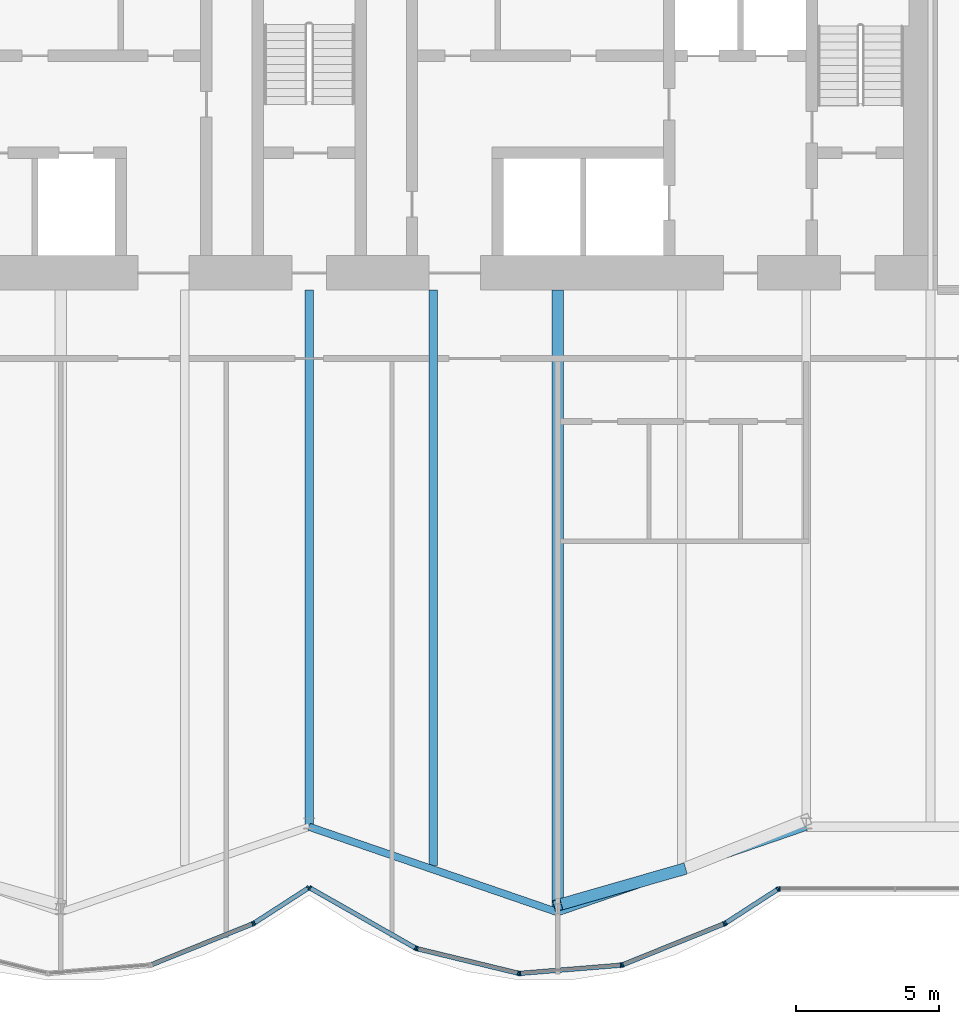
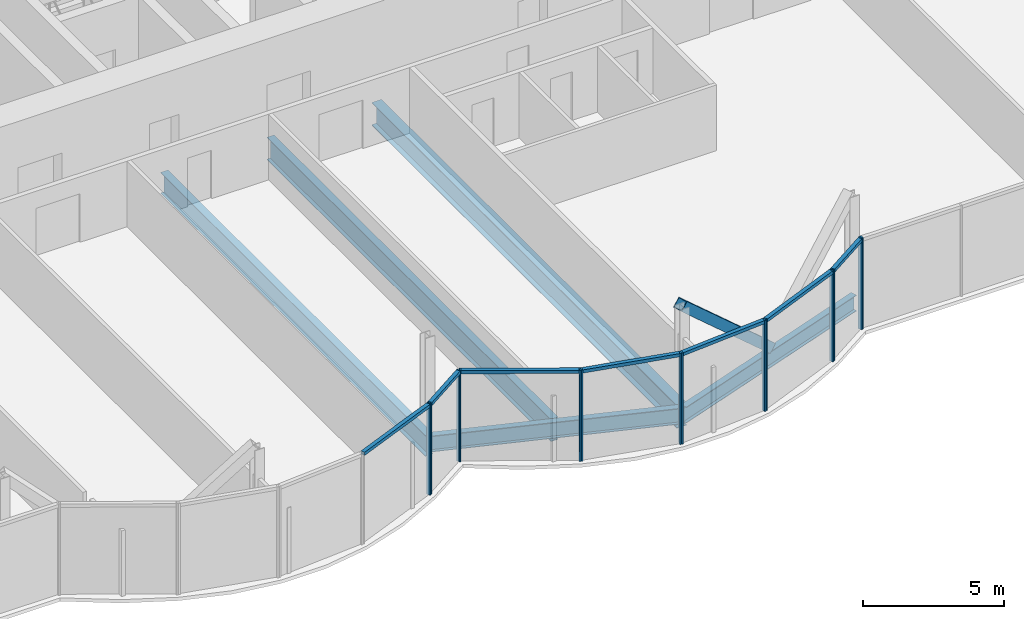
# One storey, part 8 of 21: 22 members, 5 beams, 3 elements without a shape of their own.
"""IFC4 building model written with IfcOpenShell, lengths in metres."""

from ifc_helpers import new_model, si_unit, direction, frame, origin, origin_2d, place, context, subcontext, project, spatial, rectangle, hollow_rectangle, i_section, extrude, material, material_profile, profile_set, type_object, element, aggregate, save


model = new_model("IFC4")

# Units and contexts
model_context = context("Model", 3, precision=1e-05, world=origin(), true_north=direction((0.0, 1.0)))
body_context = subcontext(model_context, "Body", "Model", "MODEL_VIEW")
ifc_project = project(units=[si_unit("LENGTHUNIT", "METRE"), si_unit("AREAUNIT", "SQUARE_METRE"), si_unit("VOLUMEUNIT", "CUBIC_METRE"), si_unit("PLANEANGLEUNIT", "RADIAN"), si_unit("MASSUNIT", "GRAM", prefix="KILO")], contexts=[model_context])

# Site, building, storey
site_placement = place(None, origin())
site = spatial("IfcSite", under=ifc_project, at=site_placement, CompositionType="ELEMENT")
building_placement = place(site_placement, origin())
building = spatial("IfcBuilding", under=site, at=building_placement, Name="Bicima Exchange Tower", CompositionType="ELEMENT")
storey_placement = place(building_placement, frame((0.0, 0.0, 173.199951171875)))
storey = spatial("IfcBuildingStorey", under=building, at=storey_placement, Name="L38", CompositionType="ELEMENT", Elevation=173.199951171875)

# Beams
ifc_material_1 = material(Name="Steel ASTM A992 Gr 50", Category="steel")
ifc_material_profile_1 = material_profile(ifc_material_1, i_section(OverallWidth=0.3046875, OverallDepth=0.904296875, WebThickness=0.01513671875, FlangeThickness=0.02001953125, at=origin_2d()))
ifc_profile_set_1 = profile_set([ifc_material_profile_1], Name="Steel ASTM A992 Gr 50")
beam_type_1 = type_object("IfcBeamType", Name="Floor beam W36x135", PredefinedType="JOIST", material=ifc_profile_set_1)
beam_1_placement = place(storey_placement, frame((0.0, -13.0, -0.60205078125), z_axis=(0.0, -1.0, 0.0), x_axis=(1.0, 0.0, 0.0)))
element("IfcBeam", 1, at=beam_1_placement, inside=storey, type_object=beam_type_1, Name="Floor beam", PredefinedType="JOIST", context=body_context, shape_type="SweptSolid", body=[
    extrude(i_section(OverallWidth=0.3046875, OverallDepth=0.904296875, WebThickness=0.01513671875, FlangeThickness=0.02001953125, at=origin_2d()), origin(), (0.0, 0.0, 1.0), 18.7919921875),
])
ifc_material_profile_2 = material_profile(ifc_material_1, i_section(OverallWidth=0.2998046875, OverallDepth=0.97021484375, WebThickness=0.01611328125, FlangeThickness=0.02099609375, at=origin_2d()))
ifc_profile_set_2 = profile_set([ifc_material_profile_2], Name="Steel ASTM A992 Gr 50")
beam_type_2 = type_object("IfcBeamType", Name="Floor beam W40x149", PredefinedType="JOIST", material=ifc_profile_set_2)
beam_2_placement = place(storey_placement, frame((4.35009765625, -13.0, -0.635009765625), z_axis=(0.0, -1.0, 0.0), x_axis=(1.0, 0.0, 0.0)))
element("IfcBeam", 2, at=beam_2_placement, inside=storey, type_object=beam_type_2, Name="Floor beam", PredefinedType="JOIST", context=body_context, shape_type="SweptSolid", body=[
    extrude(i_section(OverallWidth=0.2998046875, OverallDepth=0.97021484375, WebThickness=0.01611328125, FlangeThickness=0.02099609375, at=origin_2d()), origin(), (0.0, 0.0, 1.0), 20.15185546875),
])
ifc_material_profile_3 = material_profile(ifc_material_1, i_section(OverallWidth=0.4013671875, OverallDepth=0.990478515625, WebThickness=0.0166015625, FlangeThickness=0.031005859375, at=origin_2d()))
ifc_profile_set_3 = profile_set([ifc_material_profile_3], Name="Steel ASTM A992 Gr 50")
beam_type_3 = type_object("IfcBeamType", Name="Floor beam W40x215", PredefinedType="JOIST", material=ifc_profile_set_3)
beam_3_placement = place(storey_placement, frame((8.699951171875, -13.0, -0.645263671875), z_axis=(0.0, -1.0, 0.0), x_axis=(1.0, 0.0, 0.0)))
element("IfcBeam", 3, at=beam_3_placement, inside=storey, type_object=beam_type_3, Name="Floor beam", PredefinedType="JOIST", context=body_context, shape_type="SweptSolid", body=[
    extrude(i_section(OverallWidth=0.4013671875, OverallDepth=0.990478515625, WebThickness=0.0166015625, FlangeThickness=0.031005859375, at=origin_2d()), origin(), (0.0, 0.0, 1.0), 21.6474609375),
])
ifc_material_profile_4 = material_profile(ifc_material_1, i_section(OverallWidth=0.256591796875, OverallDepth=0.693359375, WebThickness=0.014404296875, FlangeThickness=0.023681640625, at=origin_2d()))
ifc_profile_set_4 = profile_set([ifc_material_profile_4], Name="Steel ASTM A992 Gr 50")
beam_type_4 = type_object("IfcBeamType", Name="Front girder W27x114", PredefinedType="BEAM", material=ifc_profile_set_4)
for number, where, z_axis, x_axis, name in (
    (4, (0.0, -31.7919921875, -0.49658203125), (0.945666456746, -0.325138359143, 0.0), (0.325138359143, 0.945666456746, 0.0), "Front girder"),
    (5, (8.699951171875, -34.783203125, -0.49658203125), (0.945666456746, 0.325138359143, 0.0), (-0.325138359143, 0.945666456746, 0.0), "Front girder"),
):
    element("IfcBeam", number, at=place(storey_placement, frame(where, z_axis=z_axis, x_axis=x_axis)), inside=storey, type_object=beam_type_4, Name=name, PredefinedType="BEAM", context=body_context, shape_type="SweptSolid", body=[
        extrude(i_section(OverallWidth=0.256591796875, OverallDepth=0.693359375, WebThickness=0.014404296875, FlangeThickness=0.023681640625, at=origin_2d()), origin(), (0.0, 0.0, 1.0), 9.19970703125),
    ])

# Curtain wall, members
ifc_material_2 = material(Name="Anodised bronze aluminium", Category="aluminium")
curtain_wall_type = type_object("IfcCurtainWallType", Name="Front glass wall", PredefinedType="NOTDEFINED", material=ifc_material_2)
curtain_wall_1_placement = place(storey_placement, origin())
curtain_wall_1 = element("IfcCurtainWall", 6, at=curtain_wall_1_placement, inside=storey, type_object=curtain_wall_type, Name="Front glass wall L38 run 6", PredefinedType="NOTDEFINED")
ifc_material_profile_5 = material_profile(ifc_material_2, rectangle(XDim=0.159912109375, YDim=0.06005859375, at=origin_2d()))
ifc_profile_set_5 = profile_set([ifc_material_profile_5], Name="Anodised bronze aluminium")
member_type_1 = type_object("IfcMemberType", Name="Front glass wall mullion 60 x 160", PredefinedType="MULLION", material=ifc_profile_set_5)
member_1_placement = place(storey_placement, frame((-1.97412109375, -35.1875, 0.0), z_axis=(0.0, 0.0, 1.0), x_axis=(-0.374705304, 0.92714396679, 0.0)))
member_1 = element("IfcMember", 7, at=member_1_placement, type_object=member_type_1, Name="Front glass wall mullion 2", PredefinedType="MULLION", context=body_context, shape_type="SweptSolid", body=[
    extrude(rectangle(XDim=0.159912109375, YDim=0.06005859375, at=origin_2d()), origin(), (0.0, 0.0, 1.0), 3.949951171875),
])
member_2_placement = place(storey_placement, frame((-1.921142578125, -35.16015625, 0.0), z_axis=(0.0, 0.0, 1.0), x_axis=(-0.542897457326, 0.839798994301, 0.0)))
member_2 = element("IfcMember", 8, at=member_2_placement, type_object=member_type_1, Name="Front glass wall mullion 1", PredefinedType="MULLION", context=body_context, shape_type="SweptSolid", body=[
    extrude(rectangle(XDim=0.159912109375, YDim=0.06005859375, at=origin_2d()), origin(), (0.0, 0.0, 1.0), 3.949951171875),
])
member_3_placement = place(storey_placement, frame((-0.025146484375, -33.934326171875, 0.0), z_axis=(0.0, 0.0, 1.0), x_axis=(-0.542897457326, 0.839798994301, 0.0)))
member_3 = element("IfcMember", 9, at=member_3_placement, type_object=member_type_1, Name="Front glass wall mullion 2", PredefinedType="MULLION", context=body_context, shape_type="SweptSolid", body=[
    extrude(rectangle(XDim=0.159912109375, YDim=0.06005859375, at=origin_2d()), origin(), (0.0, 0.0, 1.0), 3.949951171875),
])

curtain_wall_2_placement = place(storey_placement, origin())
curtain_wall_2 = element("IfcCurtainWall", 10, at=curtain_wall_2_placement, inside=storey, type_object=curtain_wall_type, Name="Front glass wall L38 run 11", PredefinedType="NOTDEFINED")
member_4_placement = place(storey_placement, frame((0.026123046875, -33.93310546875, 0.0), z_axis=(0.0, 0.0, 1.0), x_axis=(0.494330311331, 0.869274147378, 0.0)))
member_4 = element("IfcMember", 11, at=member_4_placement, type_object=member_type_1, Name="Front glass wall mullion 1", PredefinedType="MULLION", context=body_context, shape_type="SweptSolid", body=[
    extrude(rectangle(XDim=0.159912109375, YDim=0.06005859375, at=origin_2d()), origin(), (0.0, 0.0, 1.0), 3.949951171875),
])
member_5_placement = place(storey_placement, frame((3.7265625, -36.037353515625, 0.0), z_axis=(0.0, 0.0, 1.0), x_axis=(0.494330311331, 0.869274147378, 0.0)))
member_5 = element("IfcMember", 12, at=member_5_placement, type_object=member_type_1, Name="Front glass wall mullion 2", PredefinedType="MULLION", context=body_context, shape_type="SweptSolid", body=[
    extrude(rectangle(XDim=0.159912109375, YDim=0.06005859375, at=origin_2d()), origin(), (0.0, 0.0, 1.0), 3.949951171875),
])
member_6_placement = place(storey_placement, frame((3.781982421875, -36.059326171875, 0.0), z_axis=(0.0, 0.0, 1.0), x_axis=(0.235681529503, 0.971830343553, 0.0)))
member_6 = element("IfcMember", 13, at=member_6_placement, type_object=member_type_1, Name="Front glass wall mullion 1", PredefinedType="MULLION", context=body_context, shape_type="SweptSolid", body=[
    extrude(rectangle(XDim=0.159912109375, YDim=0.06005859375, at=origin_2d()), origin(), (0.0, 0.0, 1.0), 3.949951171875),
])
member_7_placement = place(storey_placement, frame((7.322509765625, -36.91796875, 0.0), z_axis=(0.0, 0.0, 1.0), x_axis=(0.235681529503, 0.971830343553, 0.0)))
member_7 = element("IfcMember", 14, at=member_7_placement, type_object=member_type_1, Name="Front glass wall mullion 2", PredefinedType="MULLION", context=body_context, shape_type="SweptSolid", body=[
    extrude(rectangle(XDim=0.159912109375, YDim=0.06005859375, at=origin_2d()), origin(), (0.0, 0.0, 1.0), 3.949951171875),
])
member_8_placement = place(storey_placement, frame((7.381591796875, -36.922607421875, 0.0), z_axis=(0.0, 0.0, 1.0), x_axis=(-0.080588612633, 0.99674744821, 0.0)))
member_8 = element("IfcMember", 15, at=member_8_placement, type_object=member_type_1, Name="Front glass wall mullion 1", PredefinedType="MULLION", context=body_context, shape_type="SweptSolid", body=[
    extrude(rectangle(XDim=0.159912109375, YDim=0.06005859375, at=origin_2d()), origin(), (0.0, 0.0, 1.0), 3.949951171875),
])
member_9_placement = place(storey_placement, frame((10.916015625, -36.63671875, 0.0), z_axis=(0.0, 0.0, 1.0), x_axis=(-0.080588612633, 0.99674744821, 0.0)))
member_9 = element("IfcMember", 16, at=member_9_placement, type_object=member_type_1, Name="Front glass wall mullion 2", PredefinedType="MULLION", context=body_context, shape_type="SweptSolid", body=[
    extrude(rectangle(XDim=0.159912109375, YDim=0.06005859375, at=origin_2d()), origin(), (0.0, 0.0, 1.0), 3.949951171875),
])
member_10_placement = place(storey_placement, frame((10.973876953125, -36.623291015625, 0.0), z_axis=(0.0, 0.0, 1.0), x_axis=(-0.374705304, 0.92714396679, 0.0)))
member_10 = element("IfcMember", 17, at=member_10_placement, type_object=member_type_1, Name="Front glass wall mullion 1", PredefinedType="MULLION", context=body_context, shape_type="SweptSolid", body=[
    extrude(rectangle(XDim=0.159912109375, YDim=0.06005859375, at=origin_2d()), origin(), (0.0, 0.0, 1.0), 3.949951171875),
])
member_11_placement = place(storey_placement, frame((14.52587890625, -35.1875, 0.0), z_axis=(0.0, 0.0, 1.0), x_axis=(-0.374705304, 0.92714396679, 0.0)))
member_11 = element("IfcMember", 18, at=member_11_placement, type_object=member_type_1, Name="Front glass wall mullion 2", PredefinedType="MULLION", context=body_context, shape_type="SweptSolid", body=[
    extrude(rectangle(XDim=0.159912109375, YDim=0.06005859375, at=origin_2d()), origin(), (0.0, 0.0, 1.0), 3.949951171875),
])
member_12_placement = place(storey_placement, frame((14.578857421875, -35.16015625, 0.0), z_axis=(0.0, 0.0, 1.0), x_axis=(-0.542909183079, 0.839791413941, 0.0)))
member_12 = element("IfcMember", 19, at=member_12_placement, type_object=member_type_1, Name="Front glass wall mullion 1", PredefinedType="MULLION", context=body_context, shape_type="SweptSolid", body=[
    extrude(rectangle(XDim=0.159912109375, YDim=0.06005859375, at=origin_2d()), origin(), (0.0, 0.0, 1.0), 3.949951171875),
])
member_13_placement = place(storey_placement, frame((16.406982421875, -33.978271484375, 0.0), z_axis=(0.0, 0.0, 1.0), x_axis=(-0.542909183079, 0.839791413941, 0.0)))
member_13 = element("IfcMember", 20, at=member_13_placement, type_object=member_type_1, Name="Front glass wall mullion 2", PredefinedType="MULLION", context=body_context, shape_type="SweptSolid", body=[
    extrude(rectangle(XDim=0.159912109375, YDim=0.06005859375, at=origin_2d()), origin(), (0.0, 0.0, 1.0), 3.949951171875),
])

# Curtain wall, member
curtain_wall_3_placement = place(storey_placement, origin())
curtain_wall_3 = element("IfcCurtainWall", 21, at=curtain_wall_3_placement, inside=storey, type_object=curtain_wall_type, Name="Front glass wall L38 run 16", PredefinedType="NOTDEFINED")
member_14_placement = place(storey_placement, frame((16.462158203125, -33.9619140625, 0.0), z_axis=(0.0, 0.0, 1.0), x_axis=(0.0, 1.0, 0.0)))
member_14 = element("IfcMember", 22, at=member_14_placement, type_object=member_type_1, Name="Front glass wall mullion 1", PredefinedType="MULLION", context=body_context, shape_type="SweptSolid", body=[
    extrude(rectangle(XDim=0.159912109375, YDim=0.06005859375, at=origin_2d()), origin(), (0.0, 0.0, 1.0), 3.949951171875),
])
aggregate(curtain_wall_3, [member_14])

# Member
ifc_material_profile_6 = material_profile(ifc_material_2, rectangle(XDim=0.159912109375, YDim=0.139892578125, at=origin_2d()))
ifc_profile_set_6 = profile_set([ifc_material_profile_6], Name="Anodised bronze aluminium")
member_type_2 = type_object("IfcMemberType", Name="Front glass wall transom 140 x 160", PredefinedType="USERDEFINED", material=ifc_profile_set_6)
member_15_placement = place(storey_placement, frame((-5.498291015625, -36.61181640625, 3.880126953125), z_axis=(0.927140215882, 0.374714584842, 0.0), x_axis=(-0.374714584842, 0.927140215882, 0.0)))
member_15 = element("IfcMember", 23, at=member_15_placement, type_object=member_type_2, Name="Front glass wall transom 1.1", ObjectType="TRANSOM", PredefinedType="USERDEFINED", context=body_context, shape_type="SweptSolid", body=[
    extrude(rectangle(XDim=0.159912109375, YDim=0.139892578125, at=origin_2d()), origin(), (0.0, 0.0, 1.0), 3.77099609375),
])

member_16_placement = place(storey_placement, frame((-1.89599609375, -35.143798828125, 3.880126953125), z_axis=(0.839811483481, 0.542878137536, 0.0), x_axis=(-0.542878137536, 0.839811483481, 0.0)))
member_16 = element("IfcMember", 24, at=member_16_placement, type_object=member_type_2, Name="Front glass wall transom 1.1", ObjectType="TRANSOM", PredefinedType="USERDEFINED", context=body_context, shape_type="SweptSolid", body=[
    extrude(rectangle(XDim=0.159912109375, YDim=0.139892578125, at=origin_2d()), origin(), (0.0, 0.0, 1.0), 2.19775390625),
])

aggregate(curtain_wall_1, [member_1, member_15, member_2, member_3, member_16])

member_17_placement = place(storey_placement, frame((0.05224609375, -33.94775390625, 3.880126953125), z_axis=(0.869265121745, -0.494346182466, 0.0), x_axis=(0.494346182466, 0.869265121745, 0.0)))
member_17 = element("IfcMember", 25, at=member_17_placement, type_object=member_type_2, Name="Front glass wall transom 1.1", ObjectType="TRANSOM", PredefinedType="USERDEFINED", context=body_context, shape_type="SweptSolid", body=[
    extrude(rectangle(XDim=0.159912109375, YDim=0.139892578125, at=origin_2d()), origin(), (0.0, 0.0, 1.0), 4.19677734375),
])

member_18_placement = place(storey_placement, frame((3.81103515625, -36.06640625, 3.880126953125), z_axis=(0.971833557815, -0.235668275132, 0.0), x_axis=(0.235668275132, 0.971833557815, 0.0)))
member_18 = element("IfcMember", 26, at=member_18_placement, type_object=member_type_2, Name="Front glass wall transom 1.1", ObjectType="TRANSOM", PredefinedType="USERDEFINED", context=body_context, shape_type="SweptSolid", body=[
    extrude(rectangle(XDim=0.159912109375, YDim=0.139892578125, at=origin_2d()), origin(), (0.0, 0.0, 1.0), 3.583251953125),
])

member_19_placement = place(storey_placement, frame((7.41162109375, -36.920166015625, 3.880126953125), z_axis=(0.9967456465, 0.080610893699, 0.0), x_axis=(-0.080610893699, 0.9967456465, 0.0)))
member_19 = element("IfcMember", 27, at=member_19_placement, type_object=member_type_2, Name="Front glass wall transom 1.1", ObjectType="TRANSOM", PredefinedType="USERDEFINED", context=body_context, shape_type="SweptSolid", body=[
    extrude(rectangle(XDim=0.159912109375, YDim=0.139892578125, at=origin_2d()), origin(), (0.0, 0.0, 1.0), 3.48583984375),
])

member_20_placement = place(storey_placement, frame((11.001708984375, -36.61181640625, 3.880126953125), z_axis=(0.927140215882, 0.374714584842, 0.0), x_axis=(-0.374714584842, 0.927140215882, 0.0)))
member_20 = element("IfcMember", 28, at=member_20_placement, type_object=member_type_2, Name="Front glass wall transom 1.1", ObjectType="TRANSOM", PredefinedType="USERDEFINED", context=body_context, shape_type="SweptSolid", body=[
    extrude(rectangle(XDim=0.159912109375, YDim=0.139892578125, at=origin_2d()), origin(), (0.0, 0.0, 1.0), 3.77099609375),
])

member_21_placement = place(storey_placement, frame((14.60400390625, -35.143798828125, 3.880126953125), z_axis=(0.839792890287, 0.542906899407, 0.0), x_axis=(-0.542906899407, 0.839792890287, 0.0)))
member_21 = element("IfcMember", 29, at=member_21_placement, type_object=member_type_2, Name="Front glass wall transom 1.1", ObjectType="TRANSOM", PredefinedType="USERDEFINED", context=body_context, shape_type="SweptSolid", body=[
    extrude(rectangle(XDim=0.159912109375, YDim=0.139892578125, at=origin_2d()), origin(), (0.0, 0.0, 1.0), 2.11669921875),
])

aggregate(curtain_wall_2, [member_4, member_5, member_17, member_6, member_7, member_18, member_8, member_9, member_19, member_10, member_11, member_20, member_12, member_13, member_21])

ifc_material_3 = material(Name="Steel ASTM A572 Gr 50", Category="steel")
ifc_material_profile_7 = material_profile(ifc_material_3, hollow_rectangle(XDim=0.406494140625, YDim=0.406494140625, WallThickness=0.017822265625, at=origin_2d()))
ifc_profile_set_7 = profile_set([ifc_material_profile_7], Name="Steel ASTM A572 Gr 50")
member_type_3 = type_object("IfcMemberType", Name="Mega brace HSS16x16x3/4", PredefinedType="BRACE", material=ifc_profile_set_7)
member_22_placement = place(storey_placement, frame((13.050048828125, -33.28759765625, 0.0), z_axis=(-0.712266893938, -0.204909647453, 0.671332933931), x_axis=(0.276473064615, -0.961021667052, 0.0)))
element("IfcMember", 30, at=member_22_placement, inside=storey, type_object=member_type_3, Name="Mega brace front", PredefinedType="BRACE", context=body_context, shape_type="SweptSolid", body=[
    extrude(hollow_rectangle(XDim=0.406494140625, YDim=0.406494140625, WallThickness=0.017822265625, at=origin_2d()), origin(), (0.0, 0.0, 1.0), 6.107421875),
])

save(model, "model.ifc")
